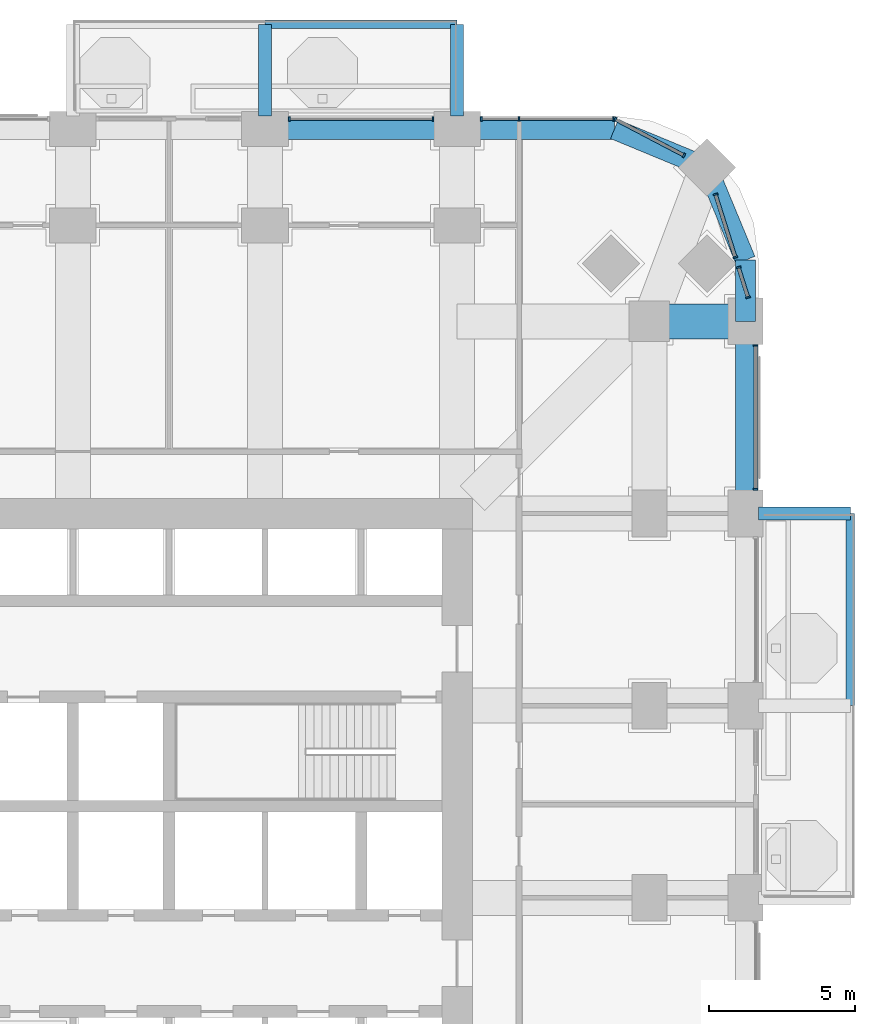
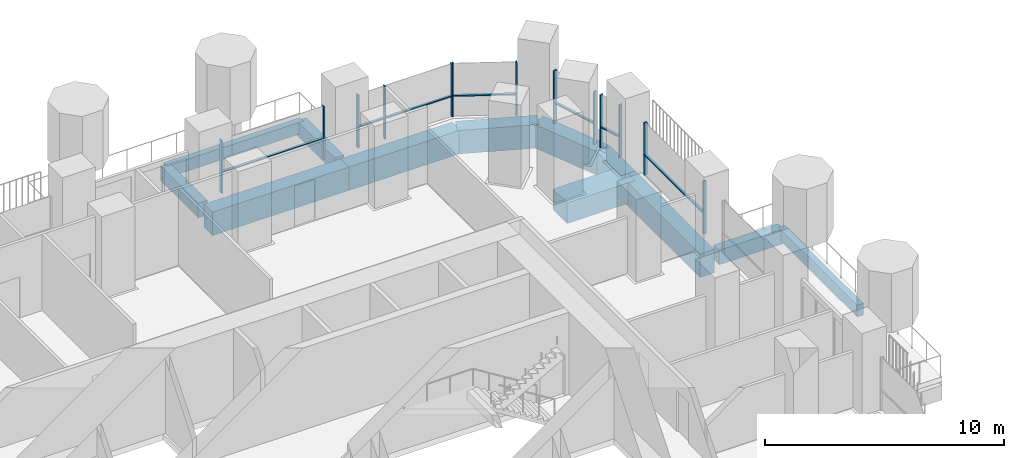
# One storey, part 8 of 21: 20 members, 12 beams, 6 elements without a shape of their own.
"""IFC4 building model written with IfcOpenShell, lengths in metres."""

from ifc_helpers import new_model, si_unit, direction, frame, origin, origin_2d, place, context, subcontext, project, spatial, rectangle, extrude, material, material_profile, profile_set, type_object, element, aggregate, save


model = new_model("IFC4")

# Units and contexts
model_context = context("Model", 3, precision=1e-05, world=origin(), true_north=direction((0.0, 1.0)))
body_context = subcontext(model_context, "Body", "Model", "MODEL_VIEW")
ifc_project = project(units=[si_unit("LENGTHUNIT", "METRE"), si_unit("AREAUNIT", "SQUARE_METRE"), si_unit("VOLUMEUNIT", "CUBIC_METRE"), si_unit("PLANEANGLEUNIT", "RADIAN"), si_unit("MASSUNIT", "GRAM", prefix="KILO")], contexts=[model_context])

# Site, building, storey
site_placement = place(None, origin())
site = spatial("IfcSite", under=ifc_project, at=site_placement, CompositionType="ELEMENT")
building_placement = place(site_placement, origin())
building = spatial("IfcBuilding", under=site, at=building_placement, Name="Cobogo Forest Laboratory Tower", CompositionType="ELEMENT")
storey_placement = place(building_placement, frame((0.0, 0.0, 86.39990234375)))
storey = spatial("IfcBuildingStorey", under=building, at=storey_placement, Name="L19", CompositionType="ELEMENT", Elevation=86.39990234375)

# Beams
ifc_material_1 = material(Name="Concrete HA-40 (C40/50)", Category="concrete")
ifc_material_profile_1 = material_profile(ifc_material_1, rectangle(XDim=0.449951171875, YDim=0.75, at=origin_2d()), Name="RC 450x750")
ifc_profile_set_1 = profile_set([ifc_material_profile_1], Name="Concrete HA-40 (C40/50)")
beam_type_1 = type_object("IfcBeamType", Name="Balcony cantilever beam 450x750", PredefinedType="BEAM", material=ifc_profile_set_1)
for number, where, z_axis, x_axis, name in (
    (1, (49.949951171875, 33.0, -0.625), (1.0, 0.0, 0.0), (0.0, 1.0, 0.0), "CB1 BAL-E1-C3 L19"),
    (2, (33.0, 46.64990234375, -0.625), (0.0, 1.0, 0.0), (-1.0, 0.0, 0.0), "CB1 BAL-N1-C2 L19"),
    (3, (39.60009765625, 46.64990234375, -0.625), (0.0, 1.0, 0.0), (-1.0, 0.0, 0.0), "CB1 BAL-N1-C3 L19"),
):
    element("IfcBeam", number, at=place(storey_placement, frame(where, z_axis=z_axis, x_axis=x_axis)), inside=storey, type_object=beam_type_1, Name=name, PredefinedType="BEAM", context=body_context, shape_type="SweptSolid", body=[
        extrude(rectangle(XDim=0.449951171875, YDim=0.75, at=origin_2d()), origin(), (0.0, 0.0, 1.0), 3.150146484375),
    ])
ifc_material_profile_2 = material_profile(ifc_material_1, rectangle(XDim=0.300048828125, YDim=0.60009765625, at=origin_2d()), Name="RC 300x600")
ifc_profile_set_2 = profile_set([ifc_material_profile_2], Name="Concrete HA-40 (C40/50)")
beam_type_2 = type_object("IfcBeamType", Name="Balcony edge beam 300x600", PredefinedType="BEAM", material=ifc_profile_set_2)
for number, where, z_axis, x_axis, name in (
    (4, (53.10009765625, 26.39990234375, -0.5498046875), (0.0, 1.0, 0.0), (-1.0, 0.0, 0.0), "BB1 BAL-E1-T2 L19"),
    (5, (33.0, 49.800048828125, -0.5498046875), (1.0, 0.0, 0.0), (0.0, 1.0, 0.0), "BB1 BAL-N1-T2 L19"),
):
    element("IfcBeam", number, at=place(storey_placement, frame(where, z_axis=z_axis, x_axis=x_axis)), inside=storey, type_object=beam_type_2, Name=name, PredefinedType="BEAM", context=body_context, shape_type="SweptSolid", body=[
        extrude(rectangle(XDim=0.300048828125, YDim=0.60009765625, at=origin_2d()), origin(), (0.0, 0.0, 1.0), 6.60009765625),
    ])
ifc_material_profile_3 = material_profile(ifc_material_1, rectangle(XDim=1.199951171875, YDim=1.050048828125, at=origin_2d()), Name="RC 1200x1050")
ifc_profile_set_3 = profile_set([ifc_material_profile_3], Name="Concrete HA-40 (C40/50)")
beam_type_3 = type_object("IfcBeamType", Name="Laboratory floor wide beam 1200x1050", PredefinedType="BEAM", material=ifc_profile_set_3)
beam_1_placement = place(storey_placement, frame((49.5, 39.60009765625, -0.824951171875), z_axis=(-1.0, 0.0, 0.0), x_axis=(0.0, -1.0, 0.0)))
element("IfcBeam", 6, at=beam_1_placement, inside=storey, type_object=beam_type_3, Name="RB1 G-NE-YF L19", PredefinedType="BEAM", context=body_context, shape_type="SweptSolid", body=[
    extrude(rectangle(XDim=1.199951171875, YDim=1.050048828125, at=origin_2d()), origin(), (0.0, 0.0, 1.0), 3.300048828125),
])

# Curtain wall, members
ifc_material_2 = material(Name="Aluminium curtain wall", Category="aluminium")
curtain_wall_type = type_object("IfcCurtainWallType", Name="CW-1 unitised curtain wall, clear glazing, laboratory floors zones A and B", PredefinedType="USERDEFINED", material=ifc_material_2)
curtain_wall_1_placement = place(storey_placement, origin())
curtain_wall_1 = element("IfcCurtainWall", 7, at=curtain_wall_1_placement, inside=storey, type_object=curtain_wall_type, Name="Curtain wall 14 L19", ObjectType="UNITISED CURTAIN WALL", PredefinedType="USERDEFINED")
ifc_material_3 = material(Name="Aluminium mullion", Category="aluminium")
ifc_material_profile_4 = material_profile(ifc_material_3, rectangle(XDim=0.06005859375, YDim=0.159912109375, at=origin_2d()), Name="AL 60x160")
ifc_profile_set_4 = profile_set([ifc_material_profile_4], Name="Aluminium mullion")
member_type_1 = type_object("IfcMemberType", Name="MU-1 aluminium mullion 60x160", PredefinedType="MULLION", material=ifc_profile_set_4)
member_1_placement = place(storey_placement, frame((49.85009765625, 33.830078125, 0.0), z_axis=(0.0, 0.0, 1.0), x_axis=(0.0, 1.0, 0.0)))
member_1 = element("IfcMember", 8, at=member_1_placement, type_object=member_type_1, Name="CW-1 mullion 1", PredefinedType="MULLION", context=body_context, shape_type="SweptSolid", body=[
    extrude(rectangle(XDim=0.06005859375, YDim=0.159912109375, at=origin_2d()), origin(), (0.0, 0.0, 1.0), 2.7001953125),
])
member_2_placement = place(storey_placement, frame((49.85009765625, 38.77001953125, 0.0), z_axis=(0.0, 0.0, 1.0), x_axis=(0.0, 1.0, 0.0)))
member_2 = element("IfcMember", 9, at=member_2_placement, type_object=member_type_1, Name="CW-1 mullion 2", PredefinedType="MULLION", context=body_context, shape_type="SweptSolid", body=[
    extrude(rectangle(XDim=0.06005859375, YDim=0.159912109375, at=origin_2d()), origin(), (0.0, 0.0, 1.0), 2.7001953125),
])

curtain_wall_2_placement = place(storey_placement, origin())
curtain_wall_2 = element("IfcCurtainWall", 10, at=curtain_wall_2_placement, inside=storey, type_object=curtain_wall_type, Name="Curtain wall 15 L19", ObjectType="UNITISED CURTAIN WALL", PredefinedType="USERDEFINED")
member_3_placement = place(storey_placement, frame((49.58837890625, 40.4287109375, 0.0), z_axis=(0.0, 0.0, 1.0), x_axis=(-0.3011355018, 0.953581359694, 0.0)))
member_3 = element("IfcMember", 11, at=member_3_placement, type_object=member_type_1, Name="CW-1 mullion 1", PredefinedType="MULLION", context=body_context, shape_type="SweptSolid", body=[
    extrude(rectangle(XDim=0.06005859375, YDim=0.159912109375, at=origin_2d()), origin(), (0.0, 0.0, 1.0), 2.7001953125),
])
member_4_placement = place(storey_placement, frame((49.2646484375, 41.453369140625, 0.0), z_axis=(0.0, 0.0, 1.0), x_axis=(-0.3011355018, 0.953581359694, 0.0)))
member_4 = element("IfcMember", 12, at=member_4_placement, type_object=member_type_1, Name="CW-1 mullion 2", PredefinedType="MULLION", context=body_context, shape_type="SweptSolid", body=[
    extrude(rectangle(XDim=0.06005859375, YDim=0.159912109375, at=origin_2d()), origin(), (0.0, 0.0, 1.0), 2.7001953125),
])

curtain_wall_3_placement = place(storey_placement, origin())
curtain_wall_3 = element("IfcCurtainWall", 13, at=curtain_wall_3_placement, inside=storey, type_object=curtain_wall_type, Name="Curtain wall 16 L19", ObjectType="UNITISED CURTAIN WALL", PredefinedType="USERDEFINED")
member_5_placement = place(storey_placement, frame((49.154296875, 41.802978515625, 0.0), z_axis=(0.0, 0.0, 1.0), x_axis=(-0.301135343623, 0.953581409645, 0.0)))
member_5 = element("IfcMember", 14, at=member_5_placement, type_object=member_type_1, Name="CW-1 mullion 1", PredefinedType="MULLION", context=body_context, shape_type="SweptSolid", body=[
    extrude(rectangle(XDim=0.06005859375, YDim=0.159912109375, at=origin_2d()), origin(), (0.0, 0.0, 1.0), 2.7001953125),
])
member_6_placement = place(storey_placement, frame((48.47265625, 43.961181640625, 0.0), z_axis=(0.0, 0.0, 1.0), x_axis=(-0.301135343623, 0.953581409645, 0.0)))
member_6 = element("IfcMember", 15, at=member_6_placement, type_object=member_type_1, Name="CW-1 mullion 2", PredefinedType="MULLION", context=body_context, shape_type="SweptSolid", body=[
    extrude(rectangle(XDim=0.06005859375, YDim=0.159912109375, at=origin_2d()), origin(), (0.0, 0.0, 1.0), 2.7001953125),
])

curtain_wall_4_placement = place(storey_placement, origin())
curtain_wall_4 = element("IfcCurtainWall", 16, at=curtain_wall_4_placement, inside=storey, type_object=curtain_wall_type, Name="Curtain wall 17 L19", ObjectType="UNITISED CURTAIN WALL", PredefinedType="USERDEFINED")
member_7_placement = place(storey_placement, frame((47.38525390625, 45.299560546875, 0.0), z_axis=(0.0, 0.0, 1.0), x_axis=(-0.885686540666, 0.464283697413, 0.0)))
member_7 = element("IfcMember", 17, at=member_7_placement, type_object=member_type_1, Name="CW-1 mullion 1", PredefinedType="MULLION", context=body_context, shape_type="SweptSolid", body=[
    extrude(rectangle(XDim=0.06005859375, YDim=0.159912109375, at=origin_2d()), origin(), (0.0, 0.0, 1.0), 2.7001953125),
])
member_8_placement = place(storey_placement, frame((45.026611328125, 46.5361328125, 0.0), z_axis=(0.0, 0.0, 1.0), x_axis=(-0.885686540666, 0.464283697413, 0.0)))
member_8 = element("IfcMember", 18, at=member_8_placement, type_object=member_type_1, Name="CW-1 mullion 2", PredefinedType="MULLION", context=body_context, shape_type="SweptSolid", body=[
    extrude(rectangle(XDim=0.06005859375, YDim=0.159912109375, at=origin_2d()), origin(), (0.0, 0.0, 1.0), 2.7001953125),
])

curtain_wall_5_placement = place(storey_placement, origin())
curtain_wall_5 = element("IfcCurtainWall", 19, at=curtain_wall_5_placement, inside=storey, type_object=curtain_wall_type, Name="Curtain wall 18 L19", ObjectType="UNITISED CURTAIN WALL", PredefinedType="USERDEFINED")
member_9_placement = place(storey_placement, frame((44.969970703125, 46.550048828125, 0.0), z_axis=(0.0, 0.0, 1.0), x_axis=(-1.0, 0.0, 0.0)))
member_9 = element("IfcMember", 20, at=member_9_placement, type_object=member_type_1, Name="CW-1 mullion 1", PredefinedType="MULLION", context=body_context, shape_type="SweptSolid", body=[
    extrude(rectangle(XDim=0.06005859375, YDim=0.159912109375, at=origin_2d()), origin(), (0.0, 0.0, 1.0), 2.7001953125),
])
member_10_placement = place(storey_placement, frame((41.72509765625, 46.550048828125, 0.0), z_axis=(0.0, 0.0, 1.0), x_axis=(-1.0, 0.0, 0.0)))
member_10 = element("IfcMember", 21, at=member_10_placement, type_object=member_type_1, Name="CW-1 mullion 2", PredefinedType="MULLION", context=body_context, shape_type="SweptSolid", body=[
    extrude(rectangle(XDim=0.06005859375, YDim=0.159912109375, at=origin_2d()), origin(), (0.0, 0.0, 1.0), 2.7001953125),
])
member_11_placement = place(storey_placement, frame((40.429931640625, 46.550048828125, 0.0), z_axis=(0.0, 0.0, 1.0), x_axis=(-1.0, 0.0, 0.0)))
member_11 = element("IfcMember", 22, at=member_11_placement, type_object=member_type_1, Name="CW-1 mullion 3", PredefinedType="MULLION", context=body_context, shape_type="SweptSolid", body=[
    extrude(rectangle(XDim=0.06005859375, YDim=0.159912109375, at=origin_2d()), origin(), (0.0, 0.0, 1.0), 2.7001953125),
])

curtain_wall_6_placement = place(storey_placement, origin())
curtain_wall_6 = element("IfcCurtainWall", 23, at=curtain_wall_6_placement, inside=storey, type_object=curtain_wall_type, Name="Curtain wall 19 L19", ObjectType="UNITISED CURTAIN WALL", PredefinedType="USERDEFINED")
member_12_placement = place(storey_placement, frame((38.77001953125, 46.550048828125, 0.0), z_axis=(0.0, 0.0, 1.0), x_axis=(-1.0, 0.0, 0.0)))
member_12 = element("IfcMember", 24, at=member_12_placement, type_object=member_type_1, Name="CW-1 mullion 1", PredefinedType="MULLION", context=body_context, shape_type="SweptSolid", body=[
    extrude(rectangle(XDim=0.06005859375, YDim=0.159912109375, at=origin_2d()), origin(), (0.0, 0.0, 1.0), 2.7001953125),
])
member_13_placement = place(storey_placement, frame((33.830078125, 46.550048828125, 0.0), z_axis=(0.0, 0.0, 1.0), x_axis=(-1.0, 0.0, 0.0)))
member_13 = element("IfcMember", 25, at=member_13_placement, type_object=member_type_1, Name="CW-1 mullion 2", PredefinedType="MULLION", context=body_context, shape_type="SweptSolid", body=[
    extrude(rectangle(XDim=0.06005859375, YDim=0.159912109375, at=origin_2d()), origin(), (0.0, 0.0, 1.0), 2.7001953125),
])

# Beams
ifc_material_profile_5 = material_profile(ifc_material_1, rectangle(XDim=0.699951171875, YDim=1.199951171875, at=origin_2d()), Name="RC 700x1200")
ifc_profile_set_5 = profile_set([ifc_material_profile_5], Name="Concrete HA-40 (C40/50)")
beam_type_4 = type_object("IfcBeamType", Name="Perimeter edge beam 700x1200", PredefinedType="BEAM", material=ifc_profile_set_5)
for number, where, z_axis, x_axis, name in (
    (26, (49.5, 33.0, -0.89990234375), (0.0, 1.0, 0.0), (-1.0, 0.0, 0.0), "EB1 E-E5 L19"),
    (27, (33.0, 46.199951171875, -0.89990234375), (1.0, 0.0, 0.0), (0.0, 1.0, 0.0), "EB1 E-N4 L19"),
):
    element("IfcBeam", number, at=place(storey_placement, frame(where, z_axis=z_axis, x_axis=x_axis)), inside=storey, type_object=beam_type_4, Name=name, PredefinedType="BEAM", context=body_context, shape_type="SweptSolid", body=[
        extrude(rectangle(XDim=0.699951171875, YDim=1.199951171875, at=origin_2d()), origin(), (0.0, 0.0, 1.0), 6.60009765625),
    ])
beam_2_placement = place(storey_placement, frame((49.5, 39.60009765625, -0.89990234375), z_axis=(0.0, 1.0, 0.0), x_axis=(-1.0, 0.0, 0.0)))
element("IfcBeam", 28, at=beam_2_placement, inside=storey, type_object=beam_type_4, Name="EB1 E-NEE1 L19", PredefinedType="BEAM", context=body_context, shape_type="SweptSolid", body=[
    extrude(rectangle(XDim=0.699951171875, YDim=1.199951171875, at=origin_2d()), origin(), (0.0, 0.0, 1.0), 2.099853515625),
])
beam_3_placement = place(storey_placement, frame((49.5, 41.699951171875, -0.89990234375), z_axis=(-0.382691928466, 0.923876013265, 0.0), x_axis=(-0.923876013265, -0.382691928466, 0.0)))
element("IfcBeam", 29, at=beam_3_placement, inside=storey, type_object=beam_type_4, Name="EB1 E-NEE2 L19", PredefinedType="BEAM", context=body_context, shape_type="SweptSolid", body=[
    extrude(rectangle(XDim=0.699951171875, YDim=1.199951171875, at=origin_2d()), origin(), (0.0, 0.0, 1.0), 3.4443359375),
])
beam_4_placement = place(storey_placement, frame((39.60009765625, 46.199951171875, -0.89990234375), z_axis=(1.0, 0.0, 0.0), x_axis=(0.0, 1.0, 0.0)))
element("IfcBeam", 30, at=beam_4_placement, inside=storey, type_object=beam_type_4, Name="EB1 E-NEN1 L19", PredefinedType="BEAM", context=body_context, shape_type="SweptSolid", body=[
    extrude(rectangle(XDim=0.699951171875, YDim=1.199951171875, at=origin_2d()), origin(), (0.0, 0.0, 1.0), 5.39990234375),
])
beam_5_placement = place(storey_placement, frame((45.0, 46.199951171875, -0.89990234375), z_axis=(0.923890694089, -0.382656484822, 0.0), x_axis=(0.382656484822, 0.923890694089, 0.0)))
element("IfcBeam", 31, at=beam_5_placement, inside=storey, type_object=beam_type_4, Name="EB1 E-NEN2 L19", PredefinedType="BEAM", context=body_context, shape_type="SweptSolid", body=[
    extrude(rectangle(XDim=0.699951171875, YDim=1.199951171875, at=origin_2d()), origin(), (0.0, 0.0, 1.0), 3.444091796875),
])

# Member
ifc_material_4 = material(Name="Aluminium transom", Category="aluminium")
ifc_material_profile_6 = material_profile(ifc_material_4, rectangle(XDim=0.1201171875, YDim=0.06005859375, at=origin_2d()), Name="AL 60x120")
ifc_profile_set_6 = profile_set([ifc_material_profile_6], Name="Aluminium transom")
member_type_2 = type_object("IfcMemberType", Name="TR-1 aluminium transom 60x120", PredefinedType="USERDEFINED", material=ifc_profile_set_6)
member_14_placement = place(storey_placement, frame((49.85009765625, 33.860107421875, 1.050048828125), z_axis=(0.0, 1.0, 0.0), x_axis=(-1.0, 0.0, 0.0)))
member_14 = element("IfcMember", 32, at=member_14_placement, type_object=member_type_2, Name="CW-1 transom 1.1", ObjectType="TRANSOM", PredefinedType="USERDEFINED", context=body_context, shape_type="SweptSolid", body=[
    extrude(rectangle(XDim=0.1201171875, YDim=0.06005859375, at=origin_2d()), origin(), (0.0, 0.0, 1.0), 4.8798828125),
])

aggregate(curtain_wall_1, [member_1, member_2, member_14])

member_15_placement = place(storey_placement, frame((49.579345703125, 40.457275390625, 1.050048828125), z_axis=(-0.301246520212, 0.953546293611, 0.0), x_axis=(-0.953546293611, -0.301246520212, 0.0)))
member_15 = element("IfcMember", 33, at=member_15_placement, type_object=member_type_2, Name="CW-1 transom 1.1", ObjectType="TRANSOM", PredefinedType="USERDEFINED", context=body_context, shape_type="SweptSolid", body=[
    extrude(rectangle(XDim=0.1201171875, YDim=0.06005859375, at=origin_2d()), origin(), (0.0, 0.0, 1.0), 1.0146484375),
])

aggregate(curtain_wall_2, [member_3, member_4, member_15])

member_16_placement = place(storey_placement, frame((49.145263671875, 41.83154296875, 1.050048828125), z_axis=(-0.301163185322, 0.953572616955, 0.0), x_axis=(-0.953572616955, -0.301163185322, 0.0)))
member_16 = element("IfcMember", 34, at=member_16_placement, type_object=member_type_2, Name="CW-1 transom 1.1", ObjectType="TRANSOM", PredefinedType="USERDEFINED", context=body_context, shape_type="SweptSolid", body=[
    extrude(rectangle(XDim=0.1201171875, YDim=0.06005859375, at=origin_2d()), origin(), (0.0, 0.0, 1.0), 2.203369140625),
])

aggregate(curtain_wall_3, [member_5, member_6, member_16])

member_17_placement = place(storey_placement, frame((47.358642578125, 45.3134765625, 1.050048828125), z_axis=(-0.885651566966, 0.464350408562, 0.0), x_axis=(-0.464350408562, -0.885651566966, 0.0)))
member_17 = element("IfcMember", 35, at=member_17_placement, type_object=member_type_2, Name="CW-1 transom 1.1", ObjectType="TRANSOM", PredefinedType="USERDEFINED", context=body_context, shape_type="SweptSolid", body=[
    extrude(rectangle(XDim=0.1201171875, YDim=0.06005859375, at=origin_2d()), origin(), (0.0, 0.0, 1.0), 2.60302734375),
])

aggregate(curtain_wall_4, [member_7, member_8, member_17])

member_18_placement = place(storey_placement, frame((44.93994140625, 46.550048828125, 1.050048828125), z_axis=(-1.0, 0.0, 0.0), x_axis=(0.0, -1.0, 0.0)))
member_18 = element("IfcMember", 36, at=member_18_placement, type_object=member_type_2, Name="CW-1 transom 1.1", ObjectType="TRANSOM", PredefinedType="USERDEFINED", context=body_context, shape_type="SweptSolid", body=[
    extrude(rectangle(XDim=0.1201171875, YDim=0.06005859375, at=origin_2d()), origin(), (0.0, 0.0, 1.0), 3.18505859375),
])

member_19_placement = place(storey_placement, frame((41.695068359375, 46.550048828125, 1.050048828125), z_axis=(-1.0, 0.0, 0.0), x_axis=(0.0, -1.0, 0.0)))
member_19 = element("IfcMember", 37, at=member_19_placement, type_object=member_type_2, Name="CW-1 transom 2.1", ObjectType="TRANSOM", PredefinedType="USERDEFINED", context=body_context, shape_type="SweptSolid", body=[
    extrude(rectangle(XDim=0.1201171875, YDim=0.06005859375, at=origin_2d()), origin(), (0.0, 0.0, 1.0), 1.235107421875),
])

aggregate(curtain_wall_5, [member_9, member_10, member_11, member_18, member_19])

member_20_placement = place(storey_placement, frame((38.739990234375, 46.550048828125, 1.050048828125), z_axis=(-1.0, 0.0, 0.0), x_axis=(0.0, -1.0, 0.0)))
member_20 = element("IfcMember", 38, at=member_20_placement, type_object=member_type_2, Name="CW-1 transom 1.1", ObjectType="TRANSOM", PredefinedType="USERDEFINED", context=body_context, shape_type="SweptSolid", body=[
    extrude(rectangle(XDim=0.1201171875, YDim=0.06005859375, at=origin_2d()), origin(), (0.0, 0.0, 1.0), 4.8798828125),
])

aggregate(curtain_wall_6, [member_12, member_13, member_20])

save(model, "model.ifc")
